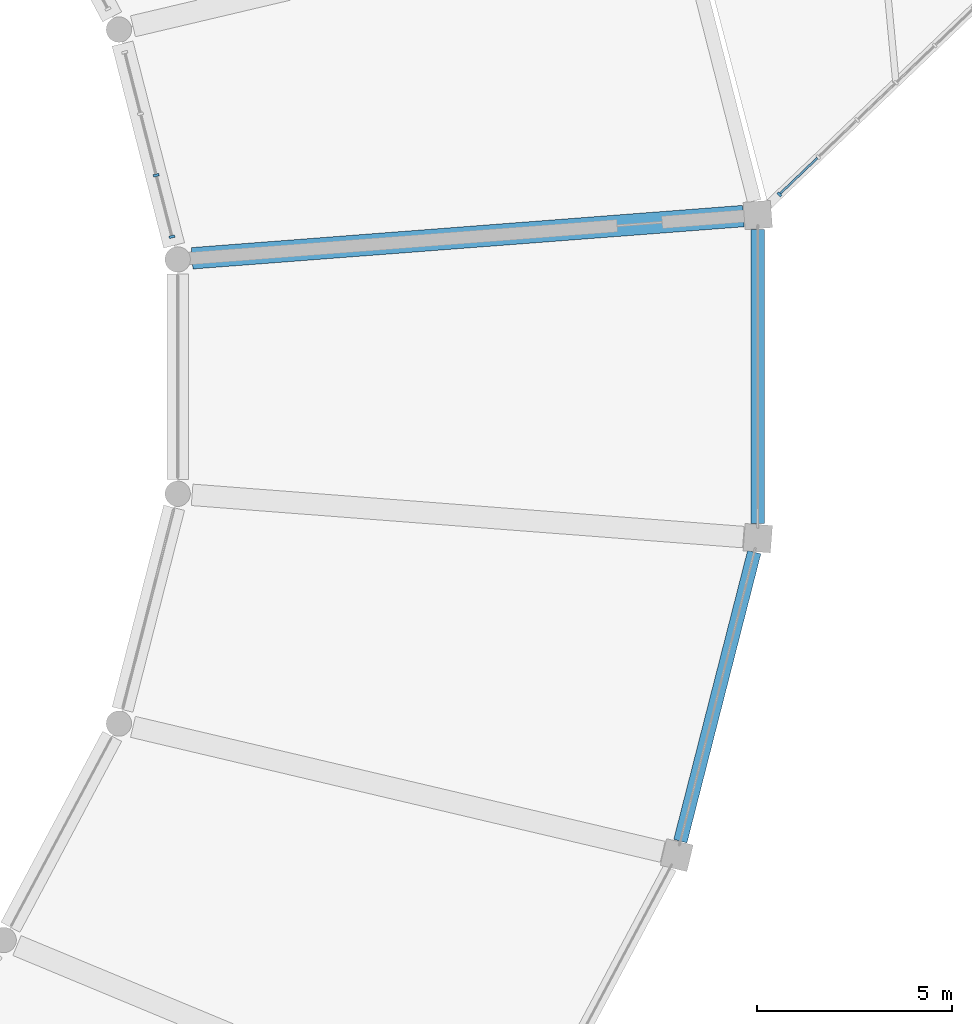
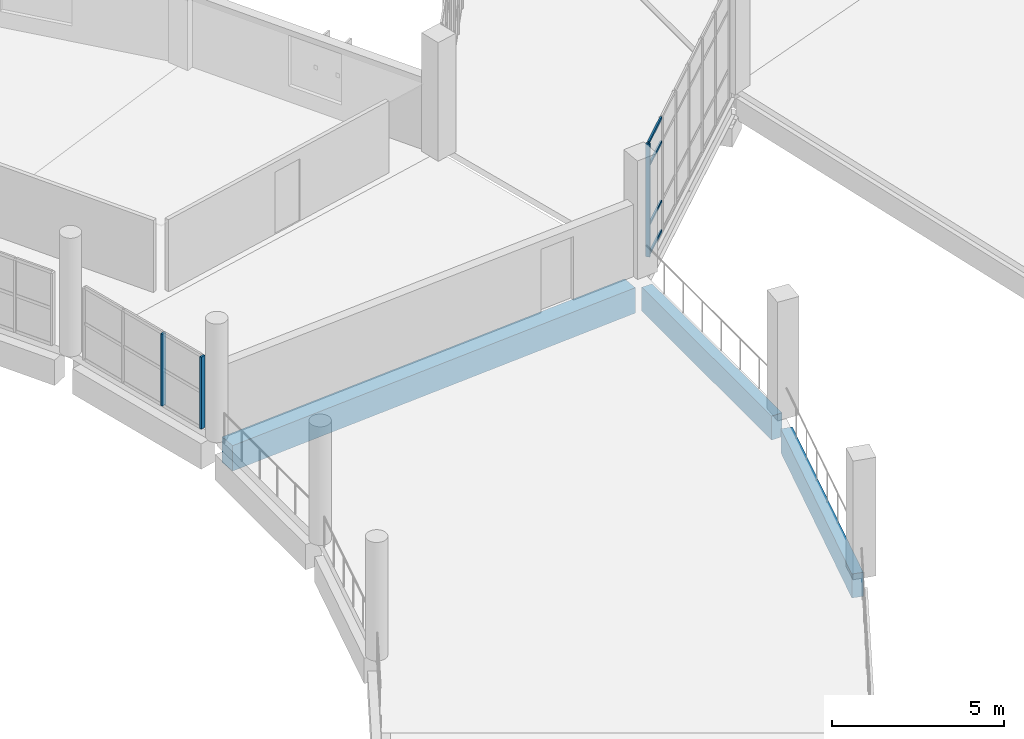
# One storey, part 49 of 142: 7 members, 3 beams, 2 elements without a shape of their own.
"""IFC4 building model written with IfcOpenShell, lengths in metres."""

from ifc_helpers import new_model, si_unit, direction, frame, origin, origin_2d, place, context, subcontext, project, spatial, rectangle, extrude, material, layer, layer_set, material_profile, profile_set, type_object, element, aggregate, save


model = new_model("IFC4")

# Units and contexts
model_context = context("Model", 3, precision=1e-05, world=origin(), true_north=direction((0.0, 1.0)))
body_context = subcontext(model_context, "Body", "Model", "MODEL_VIEW")
ifc_project = project(units=[si_unit("LENGTHUNIT", "METRE"), si_unit("AREAUNIT", "SQUARE_METRE"), si_unit("VOLUMEUNIT", "CUBIC_METRE"), si_unit("PLANEANGLEUNIT", "RADIAN"), si_unit("MASSUNIT", "GRAM", prefix="KILO")], contexts=[model_context])

# Site, building, storey
site_placement = place(None, origin())
site = spatial("IfcSite", under=ifc_project, at=site_placement, CompositionType="ELEMENT")
building_placement = place(site_placement, origin())
building = spatial("IfcBuilding", under=site, at=building_placement, Name="Corvandel Quay Wholesale Market", CompositionType="ELEMENT")
storey_placement = place(building_placement, frame((0.0, 0.0, 10.800048828125)))
storey = spatial("IfcBuildingStorey", under=building, at=storey_placement, Name="L02", CompositionType="ELEMENT", Elevation=10.800048828125)

# Curtain wall, members
ifc_material_1 = material(Name="Bronze anodised aluminium and low-E insulated glazing", Category="aluminium")
ifc_layer_1 = layer(ifc_material_1, 0.174072265625)
ifc_layer_set_1 = layer_set([ifc_layer_1], Name="Bronze anodised aluminium and low-E insulated glazing")
curtain_wall_type_1 = type_object("IfcCurtainWallType", Name="Stick Curtain Wall System CW27 H5430", PredefinedType="NOTDEFINED", material=ifc_layer_set_1)
curtain_wall_1_placement = place(storey_placement, origin())
curtain_wall_1 = element("IfcCurtainWall", 1, at=curtain_wall_1_placement, inside=storey, type_object=curtain_wall_type_1, Name="Curtain Wall CW-0178", PredefinedType="NOTDEFINED")
ifc_material_2 = material(Name="Anodised aluminium 6063-T6", Category="aluminium")
ifc_material_profile_1 = material_profile(ifc_material_2, rectangle(XDim=0.06005859375, YDim=0.1298828125, at=origin_2d()), Name="ALU-MUL-60x130")
ifc_profile_set_1 = profile_set([ifc_material_profile_1], Name="Anodised aluminium 6063-T6")
member_type_1 = type_object("IfcMemberType", Name="Clerestory Mullion ML03 60x130", PredefinedType="MULLION", material=ifc_profile_set_1)
member_1_placement = place(storey_placement, frame((168.552490234375, 46.666015625, -0.030029296875), z_axis=(0.0, 0.0, 1.0), x_axis=(0.72236396206, 0.691513055782, 0.0)))
member_1 = element("IfcMember", 2, at=member_1_placement, type_object=member_type_1, Name="Mullion CW-0178-M00", PredefinedType="MULLION", context=body_context, shape_type="SweptSolid", body=[
    extrude(rectangle(XDim=0.06005859375, YDim=0.1298828125, at=origin_2d()), origin(), (0.0, 0.0, 1.0), 4.0),
])
ifc_material_profile_2 = material_profile(ifc_material_2, rectangle(XDim=0.054931640625, YDim=0.094970703125, at=origin_2d()), Name="ALU-TRN-55x95")
ifc_profile_set_2 = profile_set([ifc_material_profile_2], Name="Anodised aluminium 6063-T6")
member_type_2 = type_object("IfcMemberType", Name="Clerestory Transom TR03 55x95", PredefinedType="USERDEFINED", material=ifc_profile_set_2)
member_2_placement = place(storey_placement, frame((168.57421875, 46.686767578125, -0.030029296875), z_axis=(0.72232771493, 0.691550918041, 0.0), x_axis=(-0.691550918041, 0.72232771493, 0.0)))
member_2 = element("IfcMember", 3, at=member_2_placement, type_object=member_type_2, Name="Transom CW-0178-T00-0", ObjectType="TRANSOM", PredefinedType="USERDEFINED", context=body_context, shape_type="SweptSolid", body=[
    extrude(rectangle(XDim=0.054931640625, YDim=0.094970703125, at=origin_2d()), origin(), (0.0, 0.0, 1.0), 1.31689453125),
])
member_3_placement = place(storey_placement, frame((168.57421875, 46.686767578125, 1.02001953125), z_axis=(0.72232771493, 0.691550918041, 0.0), x_axis=(-0.691550918041, 0.72232771493, 0.0)))
member_3 = element("IfcMember", 4, at=member_3_placement, type_object=member_type_2, Name="Transom CW-0178-T00-1", ObjectType="TRANSOM", PredefinedType="USERDEFINED", context=body_context, shape_type="SweptSolid", body=[
    extrude(rectangle(XDim=0.054931640625, YDim=0.094970703125, at=origin_2d()), origin(), (0.0, 0.0, 1.0), 1.31689453125),
])
member_4_placement = place(storey_placement, frame((168.57421875, 46.686767578125, 3.119873046875), z_axis=(0.72232771493, 0.691550918041, 0.0), x_axis=(-0.691550918041, 0.72232771493, 0.0)))
member_4 = element("IfcMember", 5, at=member_4_placement, type_object=member_type_2, Name="Transom CW-0178-T00-2", ObjectType="TRANSOM", PredefinedType="USERDEFINED", context=body_context, shape_type="SweptSolid", body=[
    extrude(rectangle(XDim=0.054931640625, YDim=0.094970703125, at=origin_2d()), origin(), (0.0, 0.0, 1.0), 1.31689453125),
])
member_5_placement = place(storey_placement, frame((168.57421875, 46.686767578125, 3.969970703125), z_axis=(0.72232771493, 0.691550918041, 0.0), x_axis=(-0.691550918041, 0.72232771493, 0.0)))
member_5 = element("IfcMember", 6, at=member_5_placement, type_object=member_type_2, Name="Transom CW-0178-T00-3", ObjectType="TRANSOM", PredefinedType="USERDEFINED", context=body_context, shape_type="SweptSolid", body=[
    extrude(rectangle(XDim=0.054931640625, YDim=0.094970703125, at=origin_2d()), origin(), (0.0, 0.0, 1.0), 1.31689453125),
])
aggregate(curtain_wall_1, [member_1, member_2, member_3, member_4, member_5])

ifc_layer_2 = layer(ifc_material_1, 0.174072265625)
ifc_layer_set_2 = layer_set([ifc_layer_2], Name="Bronze anodised aluminium and low-E insulated glazing")
curtain_wall_type_2 = type_object("IfcCurtainWallType", Name="Stick Curtain Wall System CW22 H4980", PredefinedType="NOTDEFINED", material=ifc_layer_set_2)
curtain_wall_2_placement = place(storey_placement, origin())
curtain_wall_2 = element("IfcCurtainWall", 7, at=curtain_wall_2_placement, inside=storey, type_object=curtain_wall_type_2, Name="Curtain Wall CW-0002", PredefinedType="NOTDEFINED")
ifc_material_profile_3 = material_profile(ifc_material_2, rectangle(XDim=0.06494140625, YDim=0.14990234375, at=origin_2d()), Name="ALU-MUL-65x150")
ifc_profile_set_3 = profile_set([ifc_material_profile_3], Name="Anodised aluminium 6063-T6")
member_type_3 = type_object("IfcMemberType", Name="Curtain Wall Mullion ML02 65x150", PredefinedType="MULLION", material=ifc_profile_set_3)
member_6_placement = place(storey_placement, frame((153.001220703125, 45.580322265625, 0.0), z_axis=(0.0, 0.0, 1.0), x_axis=(-0.247844544316, 0.968799815159, 0.0)))
member_6 = element("IfcMember", 8, at=member_6_placement, type_object=member_type_3, Name="Mullion CW-0002-M00", PredefinedType="MULLION", context=body_context, shape_type="SweptSolid", body=[
    extrude(rectangle(XDim=0.06494140625, YDim=0.14990234375, at=origin_2d()), origin(), (0.0, 0.0, 1.0), 2.550048828125),
])
member_7_placement = place(storey_placement, frame((152.598876953125, 47.15380859375, 0.0), z_axis=(0.0, 0.0, 1.0), x_axis=(-0.247844544316, 0.968799815159, 0.0)))
member_7 = element("IfcMember", 9, at=member_7_placement, type_object=member_type_3, Name="Mullion CW-0002-M01", PredefinedType="MULLION", context=body_context, shape_type="SweptSolid", body=[
    extrude(rectangle(XDim=0.06494140625, YDim=0.14990234375, at=origin_2d()), origin(), (0.0, 0.0, 1.0), 2.550048828125),
])
aggregate(curtain_wall_2, [member_6, member_7])

# Beams
ifc_material_3 = material(Name="Precast concrete C45/55", Category="concrete")
ifc_material_profile_4 = material_profile(ifc_material_3, rectangle(XDim=0.35009765625, YDim=0.85009765625, at=origin_2d()), Name="PC-SPN-350x850")
ifc_profile_set_4 = profile_set([ifc_material_profile_4], Name="Precast concrete C45/55")
beam_type_1 = type_object("IfcBeamType", Name="Perimeter Precast Spandrel SP01 350x850", PredefinedType="SPANDREL", material=ifc_profile_set_4)
beam_1_placement = place(storey_placement, frame((166.0166015625, 30.107421875, -0.7451171875), z_axis=(0.247753681304, 0.968823055775, 0.0), x_axis=(-0.968823055775, 0.247753681304, 0.0)))
element("IfcBeam", 10, at=beam_1_placement, inside=storey, type_object=beam_type_1, Name="Beam BM-0375", PredefinedType="SPANDREL", context=body_context, shape_type="SweptSolid", body=[
    extrude(rectangle(XDim=0.35009765625, YDim=0.85009765625, at=origin_2d()), origin(), (0.0, 0.0, 1.0), 7.635009765625),
])
beam_2_placement = place(storey_placement, frame((168.0, 38.23291015625, -0.7451171875), z_axis=(0.0, 1.0, 0.0), x_axis=(-1.0, 0.0, 0.0)))
element("IfcBeam", 11, at=beam_2_placement, inside=storey, type_object=beam_type_1, Name="Beam BM-0387", PredefinedType="SPANDREL", context=body_context, shape_type="SweptSolid", body=[
    extrude(rectangle(XDim=0.35009765625, YDim=0.85009765625, at=origin_2d()), origin(), (0.0, 0.0, 1.0), 7.5341796875),
])
ifc_material_profile_5 = material_profile(ifc_material_3, rectangle(XDim=0.550048828125, YDim=0.89990234375, at=origin_2d()), Name="PC-GIR-550x900")
ifc_profile_set_5 = profile_set([ifc_material_profile_5], Name="Precast concrete C45/55")
beam_type_2 = type_object("IfcBeamType", Name="Produce Hall Radial Girder G03 550x900", PredefinedType="USERDEFINED", material=ifc_profile_set_5)
beam_3_placement = place(storey_placement, frame((167.631103515625, 46.108642578125, -0.77001953125), z_axis=(-0.997077473405, -0.076397068191, 0.0), x_axis=(0.076397068191, -0.997077473405, 0.0)))
element("IfcBeam", 12, at=beam_3_placement, inside=storey, type_object=beam_type_2, Name="Beam BM-0010", ObjectType="GIRDER", PredefinedType="USERDEFINED", context=body_context, shape_type="SweptSolid", body=[
    extrude(rectangle(XDim=0.550048828125, YDim=0.89990234375, at=origin_2d()), origin(), (0.0, 0.0, 1.0), 14.153564453125),
])

save(model, "model.ifc")
